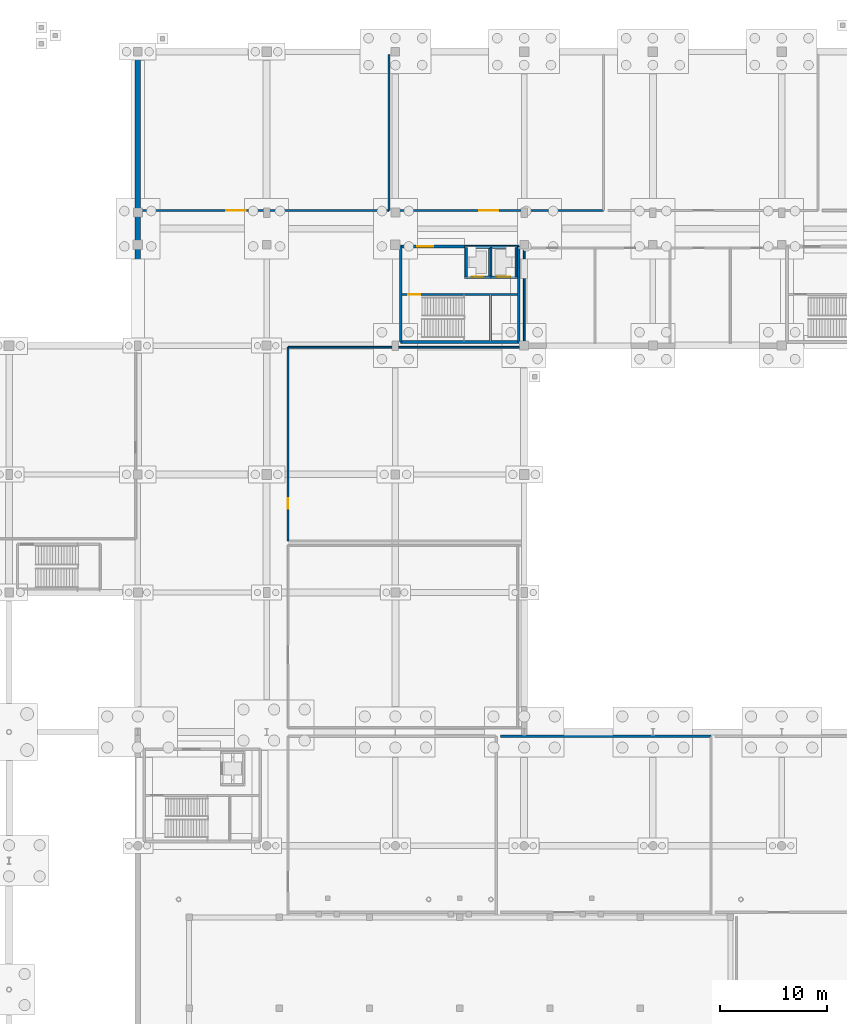
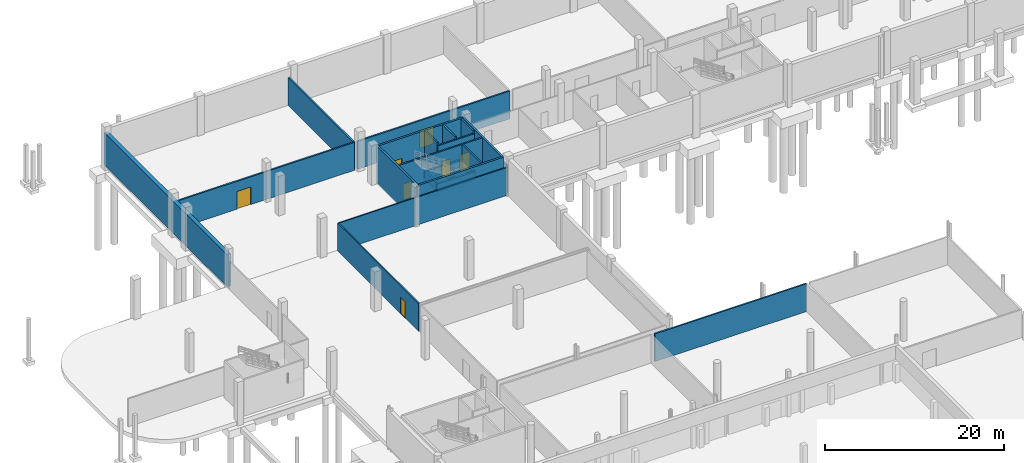
# One storey, part 30 of 42: 23 walls, 7 doors, 7 openings.
"""IFC4 building model written with IfcOpenShell, lengths in metres."""

from ifc_helpers import new_model, si_unit, direction, frame, frame_2d, origin, place, context, subcontext, project, spatial, rectangle, extrude, material, layer, layer_set, type_object, element, fill, save


model = new_model("IFC4")

# Units and contexts
model_context = context("Model", 3, precision=1e-05, world=origin(), true_north=direction((0.0, 1.0)))
body_context = subcontext(model_context, "Body", "Model", "MODEL_VIEW")
ifc_project = project(units=[si_unit("LENGTHUNIT", "METRE"), si_unit("AREAUNIT", "SQUARE_METRE"), si_unit("VOLUMEUNIT", "CUBIC_METRE"), si_unit("PLANEANGLEUNIT", "RADIAN"), si_unit("MASSUNIT", "GRAM", prefix="KILO"), si_unit("THERMODYNAMICTEMPERATUREUNIT", "KELVIN"), si_unit("POWERUNIT", "WATT")], contexts=[model_context])

# Site, building, storey
site_placement = place(None, origin())
site = spatial("IfcSite", under=ifc_project, at=site_placement, CompositionType="ELEMENT")
building_placement = place(site_placement, origin())
building = spatial("IfcBuilding", under=site, at=building_placement, Name="Solmara Park Aquatics Centre", CompositionType="ELEMENT")
storey_placement = place(building_placement, frame((0.0, 0.0, -5.39990234375)))
storey = spatial("IfcBuildingStorey", under=building, at=storey_placement, Name="B1", CompositionType="ELEMENT", Elevation=-5.39990234375)

# Wall
ifc_material_1 = material(Name="Concrete C40/50", Category="concrete")
ifc_layer_1 = layer(ifc_material_1, 0.25, Name="Concrete C40/50")
ifc_layer_set_1 = layer_set([ifc_layer_1], Name="Concrete C40/50")
wall_type_1 = type_object("IfcWallType", Name="ARC-WL-CORE250", PredefinedType="SHEAR", material=ifc_layer_set_1)
wall_1_placement = place(storey_placement, frame((49.10009765625, 108.949951171875, -0.150146484375), z_axis=(0.0, 0.0, 1.0), x_axis=(1.0, 0.0, 0.0)))
element("IfcWall", 1, at=wall_1_placement, inside=storey, type_object=wall_type_1, Name="CORE-1 Core Wall S B1", PredefinedType="SHEAR", context=body_context, shape_type="SweptSolid", body=[
    extrude(rectangle(XDim=11.0, YDim=0.25, at=frame_2d((5.5, 0.0))), origin(), (0.0, 0.0, 1.0), 5.130126953125),
])

# Wall, opening, door
wall_2_placement = place(storey_placement, frame((49.10009765625, 117.85009765625, -0.150146484375), z_axis=(0.0, 0.0, 1.0), x_axis=(1.0, 0.0, 0.0)))
wall_2 = element("IfcWall", 2, at=wall_2_placement, inside=storey, type_object=wall_type_1, Name="CORE-1 Core Wall N B1", PredefinedType="SHEAR", context=body_context, shape_type="SweptSolid", body=[
    extrude(rectangle(XDim=11.0, YDim=0.25, at=frame_2d((5.5, 0.0))), origin(), (0.0, 0.0, 1.0), 5.130126953125),
])
opening_1_placement = place(wall_2_placement, frame((1.550048828125, 0.0, 0.14990234375)))
opening_1 = element("IfcOpeningElement", 3, at=opening_1_placement, cuts=wall_2, Name="Opening D-12", PredefinedType="OPENING", context=body_context, shape_type="SweptSolid", body=[
    extrude(rectangle(XDim=1.5, YDim=2.199951171875, at=frame_2d((0.75, 1.10009765625))), frame((0.0, 0.135009765625, 0.0), z_axis=(0.0, -1.0, 0.0), x_axis=(1.0, 0.0, 0.0)), (0.0, 0.0, 1.0), 0.27001953125),
])
ifc_material_2 = material(Name="Moisture-Resistant HPL & Hardwood", Category="wood")
door_type_1 = type_object("IfcDoorType", Name="ARC-DR-FD150x220", OperationType="DOUBLE_DOOR_SINGLE_SWING", PredefinedType="DOOR", material=ifc_material_2)
door_1_placement = place(opening_1_placement, origin())
door_1 = element("IfcDoor", 4, at=door_1_placement, inside=storey, type_object=door_type_1, Name="CORE-1 Lobby Entry Fire Door B1", OperationType="DOUBLE_DOOR_SINGLE_SWING", OverallHeight=2.199951171875, OverallWidth=1.5, PredefinedType="DOOR", context=body_context, shape_type="SweptSolid", body=[
    extrude(rectangle(XDim=1.5, YDim=2.199951171875, at=frame_2d((0.75, 1.10009765625))), frame((0.0, 0.02490234375, 0.0), z_axis=(0.0, -1.0, 0.0), x_axis=(1.0, 0.0, 0.0)), (0.0, 0.0, 1.0), 0.050048828125),
])
fill(opening_1, door_1)

# Walls
for number, where, z_axis, x_axis, name in (
    (5, (49.10009765625, 108.949951171875, -0.150146484375), (0.0, 0.0, 1.0), (0.0, 1.0, 0.0), "CORE-1 Core Wall W B1"),
    (6, (60.10009765625, 108.949951171875, -0.150146484375), (0.0, 0.0, 1.0), (0.0, 1.0, 0.0), "CORE-1 Core Wall E B1"),
):
    element("IfcWall", number, at=place(storey_placement, frame(where, z_axis=z_axis, x_axis=x_axis)), inside=storey, type_object=wall_type_1, Name=name, PredefinedType="SHEAR", context=body_context, shape_type="SweptSolid", body=[
        extrude(rectangle(XDim=8.900146484375, YDim=0.25, at=frame_2d((4.4501953125, 0.0))), origin(), (0.0, 0.0, 1.0), 5.130126953125),
    ])

# Wall, openings, doors
ifc_material_3 = material(Name="Concrete C25/30 Autoclaved Aerated Fire Blockwork", Category="masonry")
ifc_layer_2 = layer(ifc_material_3, 0.199951171875, Name="Concrete C25/30 Autoclaved Aerated Fire Blockwork")
ifc_layer_set_2 = layer_set([ifc_layer_2], Name="Concrete C25/30 Autoclaved Aerated Fire Blockwork")
wall_type_2 = type_object("IfcWallType", Name="ARC-WL-FIRE200", PredefinedType="SOLIDWALL", material=ifc_layer_set_2)
wall_3_placement = place(storey_placement, frame((55.199951171875, 115.0, -0.150146484375), z_axis=(0.0, 0.0, 1.0), x_axis=(1.0, 0.0, 0.0)))
wall_3 = element("IfcWall", 7, at=wall_3_placement, inside=storey, type_object=wall_type_2, Name="CORE-1 Lift Shaft Front Wall B1", PredefinedType="SOLIDWALL", context=body_context, shape_type="SweptSolid", body=[
    extrude(rectangle(XDim=4.650146484375, YDim=0.199951171875, at=frame_2d((2.3251953125, 0.0))), origin(), (0.0, 0.0, 1.0), 4.72998046875),
])
opening_2_placement = place(wall_3_placement, frame((2.824951171875, 0.0, 0.14990234375)))
opening_2 = element("IfcOpeningElement", 8, at=opening_2_placement, cuts=wall_3, Name="Opening D-10", PredefinedType="OPENING", context=body_context, shape_type="SweptSolid", body=[
    extrude(rectangle(XDim=1.300048828125, YDim=2.300048828125, at=frame_2d((0.64990234375, 1.14990234375))), frame((0.0, 0.10986328125, 0.0), z_axis=(0.0, -1.0, 0.0), x_axis=(1.0, 0.0, 0.0)), (0.0, 0.0, 1.0), 0.219970703125),
])
opening_3_placement = place(wall_3_placement, frame((0.52490234375, 0.0, 0.14990234375)))
opening_3 = element("IfcOpeningElement", 9, at=opening_3_placement, cuts=wall_3, Name="Opening D-09", PredefinedType="OPENING", context=body_context, shape_type="SweptSolid", body=[
    extrude(rectangle(XDim=1.10009765625, YDim=2.199951171875, at=frame_2d((0.550048828125, 1.10009765625))), frame((0.0, 0.10986328125, 0.0), z_axis=(0.0, -1.0, 0.0), x_axis=(1.0, 0.0, 0.0)), (0.0, 0.0, 1.0), 0.219970703125),
])
ifc_material_4 = material(Name="Stainless Steel", Category="steel")
door_type_2 = type_object("IfcDoorType", Name="ARC-DR-LD110x220", OperationType="DOUBLE_DOOR_SLIDING", PredefinedType="DOOR", material=ifc_material_4)
door_2_placement = place(opening_3_placement, frame((1.10009765625, 0.0, 0.0), z_axis=(0.0, 0.0, 1.0), x_axis=(-1.0, 0.0, 0.0)))
door_2 = element("IfcDoor", 10, at=door_2_placement, inside=storey, type_object=door_type_2, Name="LF-02 Lift Landing Door B1", OperationType="DOUBLE_DOOR_SLIDING", OverallHeight=2.199951171875, OverallWidth=1.10009765625, PredefinedType="DOOR", context=body_context, shape_type="SweptSolid", body=[
    extrude(rectangle(XDim=1.10009765625, YDim=2.199951171875, at=frame_2d((0.550048828125, 1.10009765625))), frame((0.0, 0.02490234375, 0.0), z_axis=(0.0, -1.0, 0.0), x_axis=(1.0, 0.0, 0.0)), (0.0, 0.0, 1.0), 0.050048828125),
])
fill(opening_3, door_2)
door_type_3 = type_object("IfcDoorType", Name="ARC-DR-LD130x230", OperationType="DOUBLE_DOOR_SLIDING", PredefinedType="DOOR", material=ifc_material_4)
door_3_placement = place(opening_2_placement, frame((1.300048828125, 0.0, 0.0), z_axis=(0.0, 0.0, 1.0), x_axis=(-1.0, 0.0, 0.0)))
door_3 = element("IfcDoor", 11, at=door_3_placement, inside=storey, type_object=door_type_3, Name="LF-01 Lift Landing Door B1", OperationType="DOUBLE_DOOR_SLIDING", OverallHeight=2.300048828125, OverallWidth=1.300048828125, PredefinedType="DOOR", context=body_context, shape_type="SweptSolid", body=[
    extrude(rectangle(XDim=1.300048828125, YDim=2.300048828125, at=frame_2d((0.64990234375, 1.14990234375))), frame((0.0, 0.02490234375, 0.0), z_axis=(0.0, -1.0, 0.0), x_axis=(1.0, 0.0, 0.0)), (0.0, 0.0, 1.0), 0.050048828125),
])
fill(opening_2, door_3)

# Walls
for number, where, z_axis, x_axis, name in (
    (12, (57.5, 115.0, -0.150146484375), (0.0, 0.0, 1.0), (0.0, 1.0, 0.0), "LF-01 Lift Shaft W Wall B1"),
    (13, (59.85009765625, 115.0, -0.150146484375), (0.0, 0.0, 1.0), (0.0, 1.0, 0.0), "LF-01 Lift Shaft E Wall B1"),
    (14, (55.199951171875, 115.0, -0.150146484375), (0.0, 0.0, 1.0), (0.0, 1.0, 0.0), "LF-02 Lift Shaft W Wall B1"),
):
    element("IfcWall", number, at=place(storey_placement, frame(where, z_axis=z_axis, x_axis=x_axis)), inside=storey, type_object=wall_type_2, Name=name, PredefinedType="SOLIDWALL", context=body_context, shape_type="SweptSolid", body=[
        extrude(rectangle(XDim=2.75, YDim=0.199951171875, at=frame_2d((1.375, 0.0))), origin(), (0.0, 0.0, 1.0), 5.130126953125),
    ])
wall_4_placement = place(storey_placement, frame((58.39990234375, 72.199951171875, 0.0), z_axis=(0.0, 0.0, 1.0), x_axis=(1.0, 0.0, 0.0)))
element("IfcWall", 15, at=wall_4_placement, inside=storey, type_object=wall_type_2, Name="Interior Partition IW-B1-0007 (B1-PLT-02)", PredefinedType="SOLIDWALL", context=body_context, shape_type="SweptSolid", body=[
    extrude(rectangle(XDim=19.60009765625, YDim=0.199951171875, at=frame_2d((9.800048828125, 0.0))), origin(), (0.0, 0.0, 1.0), 3.77978515625),
])

# Wall, opening, door
wall_5_placement = place(storey_placement, frame((24.85009765625, 121.199951171875, 0.0), z_axis=(0.0, 0.0, 1.0), x_axis=(1.0, 0.0, 0.0)))
wall_5 = element("IfcWall", 16, at=wall_5_placement, inside=storey, type_object=wall_type_2, Name="Interior Partition IW-B1-0032 (B1-ELC-01)", PredefinedType="SOLIDWALL", context=body_context, shape_type="SweptSolid", body=[
    extrude(rectangle(XDim=23.14990234375, YDim=0.199951171875, at=frame_2d((11.574951171875, 0.0))), origin(), (0.0, 0.0, 1.0), 3.7998046875),
])
opening_4_placement = place(wall_5_placement, frame((8.0, 0.0, 0.0)))
opening_4 = element("IfcOpeningElement", 17, at=opening_4_placement, cuts=wall_5, Name="Opening D-14", PredefinedType="OPENING", context=body_context, shape_type="SweptSolid", body=[
    extrude(rectangle(XDim=1.800048828125, YDim=2.39990234375, at=frame_2d((0.89990234375, 1.199951171875))), frame((0.0, 0.10986328125, 0.0), z_axis=(0.0, -1.0, 0.0), x_axis=(1.0, 0.0, 0.0)), (0.0, 0.0, 1.0), 0.219970703125),
])
door_type_4 = type_object("IfcDoorType", Name="ARC-DR-PLT180x240", OperationType="DOUBLE_DOOR_SINGLE_SWING", PredefinedType="DOOR", material=ifc_material_4)
door_4_placement = place(opening_4_placement, frame((1.800048828125, 0.0, 0.0), z_axis=(0.0, 0.0, 1.0), x_axis=(-1.0, 0.0, 0.0)))
door_4 = element("IfcDoor", 18, at=door_4_placement, inside=storey, type_object=door_type_4, Name="22 kV Transformer Substation and Main LV Switchroom Door", OperationType="DOUBLE_DOOR_SINGLE_SWING", OverallHeight=2.39990234375, OverallWidth=1.800048828125, PredefinedType="DOOR", context=body_context, shape_type="SweptSolid", body=[
    extrude(rectangle(XDim=1.800048828125, YDim=2.39990234375, at=frame_2d((0.89990234375, 1.199951171875))), frame((0.0, 0.02490234375, 0.0), z_axis=(0.0, -1.0, 0.0), x_axis=(1.0, 0.0, 0.0)), (0.0, 0.0, 1.0), 0.050048828125),
])
fill(opening_4, door_4)

# Wall
wall_6_placement = place(storey_placement, frame((48.0, 121.199951171875, 0.0), z_axis=(0.0, 0.0, 1.0), x_axis=(0.0, 1.0, 0.0)))
element("IfcWall", 19, at=wall_6_placement, inside=storey, type_object=wall_type_2, Name="Interior Partition IW-B1-0033 (B1-ELC-01)", PredefinedType="SOLIDWALL", context=body_context, shape_type="SweptSolid", body=[
    extrude(rectangle(XDim=14.550048828125, YDim=0.199951171875, at=frame_2d((7.27490234375, 0.0))), origin(), (0.0, 0.0, 1.0), 3.7998046875),
])

# Wall, opening, door
wall_7_placement = place(storey_placement, frame((48.39990234375, 121.199951171875, 0.0), z_axis=(0.0, 0.0, 1.0), x_axis=(1.0, 0.0, 0.0)))
wall_7 = element("IfcWall", 20, at=wall_7_placement, inside=storey, type_object=wall_type_2, Name="Interior Partition IW-B1-0034 (B1-GEN-01)", PredefinedType="SOLIDWALL", context=body_context, shape_type="SweptSolid", body=[
    extrude(rectangle(XDim=19.60009765625, YDim=0.199951171875, at=frame_2d((9.800048828125, 0.0))), origin(), (0.0, 0.0, 1.0), 3.7998046875),
])
opening_5_placement = place(wall_7_placement, frame((8.0, 0.0, 0.0)))
opening_5 = element("IfcOpeningElement", 21, at=opening_5_placement, cuts=wall_7, Name="Opening D-14", PredefinedType="OPENING", context=body_context, shape_type="SweptSolid", body=[
    extrude(rectangle(XDim=1.800048828125, YDim=2.39990234375, at=frame_2d((0.89990234375, 1.199951171875))), frame((0.0, 0.10986328125, 0.0), z_axis=(0.0, -1.0, 0.0), x_axis=(1.0, 0.0, 0.0)), (0.0, 0.0, 1.0), 0.219970703125),
])
door_5_placement = place(opening_5_placement, frame((1.800048828125, 0.0, 0.0), z_axis=(0.0, 0.0, 1.0), x_axis=(-1.0, 0.0, 0.0)))
door_5 = element("IfcDoor", 22, at=door_5_placement, inside=storey, type_object=door_type_4, Name="Emergency Standby Generator and UPS Room Door", OperationType="DOUBLE_DOOR_SINGLE_SWING", OverallHeight=2.39990234375, OverallWidth=1.800048828125, PredefinedType="DOOR", context=body_context, shape_type="SweptSolid", body=[
    extrude(rectangle(XDim=1.800048828125, YDim=2.39990234375, at=frame_2d((0.89990234375, 1.199951171875))), frame((0.0, 0.02490234375, 0.0), z_axis=(0.0, -1.0, 0.0), x_axis=(1.0, 0.0, 0.0)), (0.0, 0.0, 1.0), 0.050048828125),
])
fill(opening_5, door_5)

ifc_material_5 = material(Name="Waterproof Tile-Faced Wet-Area Plumbing Wall", Category="concrete")
ifc_layer_3 = layer(ifc_material_5, 0.159912109375, Name="Waterproof Tile-Faced Wet-Area Plumbing Wall")
ifc_layer_set_3 = layer_set([ifc_layer_3], Name="Waterproof Tile-Faced Wet-Area Plumbing Wall")
wall_type_3 = type_object("IfcWallType", Name="ARC-WL-WET160", PredefinedType="PLUMBINGWALL", material=ifc_layer_set_3)
wall_8_placement = place(storey_placement, frame((38.60009765625, 90.39990234375, 0.0), z_axis=(0.0, 0.0, 1.0), x_axis=(0.0, 1.0, 0.0)))
wall_8 = element("IfcWall", 23, at=wall_8_placement, inside=storey, type_object=wall_type_3, Name="Interior Partition IW-B1-0029 (B1-STF-01)", PredefinedType="PLUMBINGWALL", context=body_context, shape_type="SweptSolid", body=[
    extrude(rectangle(XDim=18.050048828125, YDim=0.159912109375, at=frame_2d((9.02490234375, 0.0))), origin(), (0.0, 0.0, 1.0), 3.7998046875),
])
opening_6_placement = place(wall_8_placement, frame((3.0, 0.0, 0.0)))
opening_6 = element("IfcOpeningElement", 24, at=opening_6_placement, cuts=wall_8, Name="Opening D-16", PredefinedType="OPENING", context=body_context, shape_type="SweptSolid", body=[
    extrude(rectangle(XDim=1.0, YDim=2.199951171875, at=frame_2d((0.5, 1.10009765625))), frame((0.0, 0.08984375, 0.0), z_axis=(0.0, -1.0, 0.0), x_axis=(1.0, 0.0, 0.0)), (0.0, 0.0, 1.0), 0.179931640625),
])
door_type_5 = type_object("IfcDoorType", Name="ARC-DR-SGL100x220", OperationType="NOTDEFINED", PredefinedType="DOOR", material=ifc_material_2)
door_6_placement = place(opening_6_placement, origin())
door_6 = element("IfcDoor", 25, at=door_6_placement, inside=storey, type_object=door_type_5, Name="Aquatics Maintenance Workshop and Staff Changing Door", OperationType="SINGLE_SWING_LEFT", OverallHeight=2.199951171875, OverallWidth=1.0, PredefinedType="DOOR", context=body_context, shape_type="SweptSolid", body=[
    extrude(rectangle(XDim=1.0, YDim=2.199951171875, at=frame_2d((0.5, 1.10009765625))), frame((0.0, 0.02490234375, 0.0), z_axis=(0.0, -1.0, 0.0), x_axis=(1.0, 0.0, 0.0)), (0.0, 0.0, 1.0), 0.050048828125),
])
fill(opening_6, door_6)

# Walls
wall_9_placement = place(storey_placement, frame((38.60009765625, 108.449951171875, 0.0), z_axis=(0.0, 0.0, 1.0), x_axis=(1.0, 0.0, 0.0)))
element("IfcWall", 26, at=wall_9_placement, inside=storey, type_object=wall_type_3, Name="Interior Partition IW-B1-0031 (B1-STF-01)", PredefinedType="PLUMBINGWALL", context=body_context, shape_type="SweptSolid", body=[
    extrude(rectangle(XDim=21.75, YDim=0.159912109375, at=frame_2d((10.875, 0.0))), origin(), (0.0, 0.0, 1.0), 3.7998046875),
])
wall_10_placement = place(storey_placement, frame((60.60009765625, 108.85009765625, 0.0), z_axis=(0.0, 0.0, 1.0), x_axis=(0.0, 1.0, 0.0)))
element("IfcWall", 27, at=wall_10_placement, inside=storey, type_object=wall_type_3, Name="Interior Partition IW-B1-0041 (B1-WCM-01)", PredefinedType="PLUMBINGWALL", context=body_context, shape_type="SweptSolid", body=[
    extrude(rectangle(XDim=8.849853515625, YDim=0.159912109375, at=frame_2d((4.4248046875, 0.0))), origin(), (0.0, 0.0, 1.0), 3.7998046875),
])
ifc_layer_4 = layer(ifc_material_1, 0.25, Name="Concrete C40/50")
ifc_layer_set_4 = layer_set([ifc_layer_4], Name="Concrete C40/50")
wall_type_4 = type_object("IfcWallType", Name="STR-WL-CORE250", PredefinedType="SHEAR", material=ifc_layer_set_4)
for number, where, z_axis, x_axis, name in (
    (28, (55.050048828125, 114.97509765625, -1.60009765625), (0.0, 0.0, 1.0), (1.0, 0.0, 0.0), "Lift Shaft LF-01 and LF-02 Pit Wall S"),
    (29, (55.050048828125, 117.77490234375, -1.60009765625), (0.0, 0.0, 1.0), (1.0, 0.0, 0.0), "Lift Shaft LF-01 and LF-02 Pit Wall N"),
):
    element("IfcWall", number, at=place(storey_placement, frame(where, z_axis=z_axis, x_axis=x_axis)), inside=storey, type_object=wall_type_4, Name=name, PredefinedType="SHEAR", context=body_context, shape_type="SweptSolid", body=[
        extrude(rectangle(XDim=4.929931640625, YDim=0.25, at=frame_2d((2.46484375, 0.0))), origin(), (0.0, 0.0, 1.0), 1.050048828125),
    ])
for number, where, z_axis, x_axis, name in (
    (30, (55.175048828125, 115.110107421875, -1.60009765625), (0.0, 0.0, 1.0), (0.0, 1.0, 0.0), "Lift Shaft LF-01 and LF-02 Pit Wall W"),
    (31, (59.864990234375, 115.110107421875, -1.60009765625), (0.0, 0.0, 1.0), (0.0, 1.0, 0.0), "Lift Shaft LF-01 and LF-02 Pit Wall E"),
    (32, (57.425048828125, 115.110107421875, -1.60009765625), (0.0, 0.0, 1.0), (0.0, 1.0, 0.0), "Lift Shaft LF-01 and LF-02 Pit Wall DIV"),
):
    element("IfcWall", number, at=place(storey_placement, frame(where, z_axis=z_axis, x_axis=x_axis)), inside=storey, type_object=wall_type_4, Name=name, PredefinedType="SHEAR", context=body_context, shape_type="SweptSolid", body=[
        extrude(rectangle(XDim=2.52978515625, YDim=0.25, at=frame_2d((1.264892578125, 0.0))), origin(), (0.0, 0.0, 1.0), 1.050048828125),
    ])
ifc_material_6 = material(Name="Watertight Concrete C45/55", Category="concrete")
ifc_layer_5 = layer(ifc_material_6, 0.5, Name="Watertight Concrete C45/55")
ifc_layer_set_5 = layer_set([ifc_layer_5], Name="Watertight Concrete C45/55")
wall_type_5 = type_object("IfcWallType", Name="STR-WL-RET500", PredefinedType="USERDEFINED", material=ifc_layer_set_5)
wall_11_placement = place(storey_placement, frame((24.60009765625, 108.60009765625, 0.0), z_axis=(0.0, 0.0, 1.0), x_axis=(0.0, 1.0, 0.0)))
element("IfcWall", 33, at=wall_11_placement, inside=storey, type_object=wall_type_5, Name="Basement Perimeter Retaining Wall 13", ObjectType="RETAINING WALL", PredefinedType="USERDEFINED", context=body_context, shape_type="SweptSolid", body=[
    extrude(rectangle(XDim=27.39990234375, YDim=0.5, at=frame_2d((13.699951171875, 0.0))), origin(), (0.0, 0.0, 1.0), 4.3798828125),
])

# Wall, opening, door
ifc_material_7 = material(Name="Concrete C35/45", Category="concrete")
ifc_layer_6 = layer(ifc_material_7, 0.199951171875, Name="Concrete C35/45")
ifc_layer_set_6 = layer_set([ifc_layer_6], Name="Concrete C35/45")
wall_type_6 = type_object("IfcWallType", Name="STR-WL-STAIR200", PredefinedType="SHEAR", material=ifc_layer_set_6)
wall_12_placement = place(storey_placement, frame((49.219970703125, 113.375, -0.150146484375), z_axis=(0.0, 0.0, 1.0), x_axis=(1.0, 0.0, 0.0)))
wall_12 = element("IfcWall", 34, at=wall_12_placement, inside=storey, type_object=wall_type_6, Name="CORE-1 Stairwell Compartment Wall B1", PredefinedType="SHEAR", context=body_context, shape_type="SweptSolid", body=[
    extrude(rectangle(XDim=10.760009765625, YDim=0.199951171875, at=frame_2d((5.3798828125, 0.0))), origin(), (0.0, 0.0, 1.0), 5.130126953125),
])
opening_7_placement = place(wall_12_placement, frame((0.580078125, 0.0, 0.14990234375)))
opening_7 = element("IfcOpeningElement", 35, at=opening_7_placement, cuts=wall_12, Name="Opening D-11", PredefinedType="OPENING", context=body_context, shape_type="SweptSolid", body=[
    extrude(rectangle(XDim=1.10009765625, YDim=2.199951171875, at=frame_2d((0.550048828125, 1.10009765625))), frame((0.0, 0.10986328125, 0.0), z_axis=(0.0, -1.0, 0.0), x_axis=(1.0, 0.0, 0.0)), (0.0, 0.0, 1.0), 0.219970703125),
])
door_type_6 = type_object("IfcDoorType", Name="ARC-DR-FD110x220", OperationType="NOTDEFINED", PredefinedType="DOOR", material=ifc_material_2)
door_7_placement = place(opening_7_placement, origin())
door_7 = element("IfcDoor", 36, at=door_7_placement, inside=storey, type_object=door_type_6, Name="ST-01 Fire Door B1", OperationType="SINGLE_SWING_LEFT", OverallHeight=2.199951171875, OverallWidth=1.10009765625, PredefinedType="DOOR", context=body_context, shape_type="SweptSolid", body=[
    extrude(rectangle(XDim=1.10009765625, YDim=2.199951171875, at=frame_2d((0.550048828125, 1.10009765625))), frame((0.0, 0.02490234375, 0.0), z_axis=(0.0, -1.0, 0.0), x_axis=(1.0, 0.0, 0.0)), (0.0, 0.0, 1.0), 0.050048828125),
])
fill(opening_7, door_7)

# Wall
wall_13_placement = place(storey_placement, frame((57.4599609375, 109.070068359375, -0.150146484375), z_axis=(0.0, 0.0, 1.0), x_axis=(0.0, 1.0, 0.0)))
element("IfcWall", 37, at=wall_13_placement, inside=storey, type_object=wall_type_6, Name="CORE-1 Stairwell East End Wall B1", PredefinedType="SHEAR", context=body_context, shape_type="SweptSolid", body=[
    extrude(rectangle(XDim=4.204833984375, YDim=0.199951171875, at=frame_2d((2.1025390625, 0.0))), origin(), (0.0, 0.0, 1.0), 5.130126953125),
])

save(model, "model.ifc")
